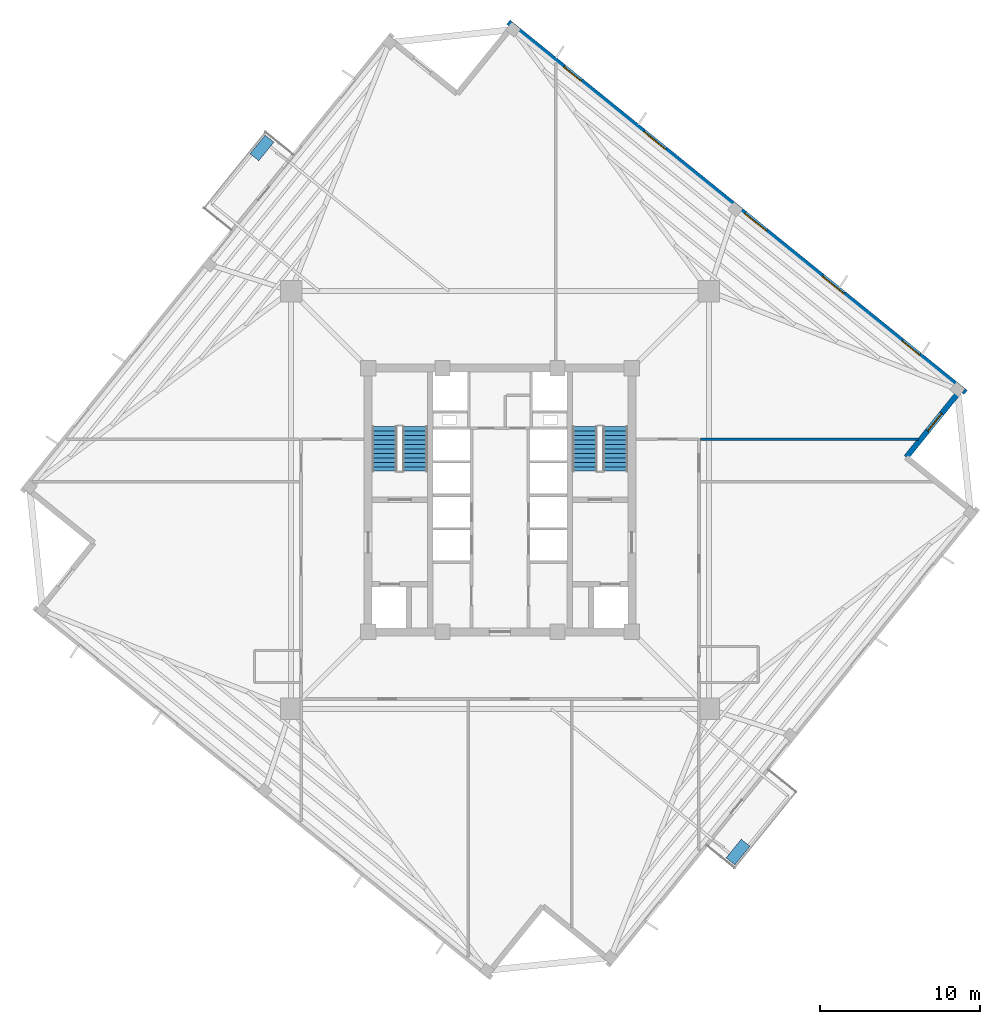
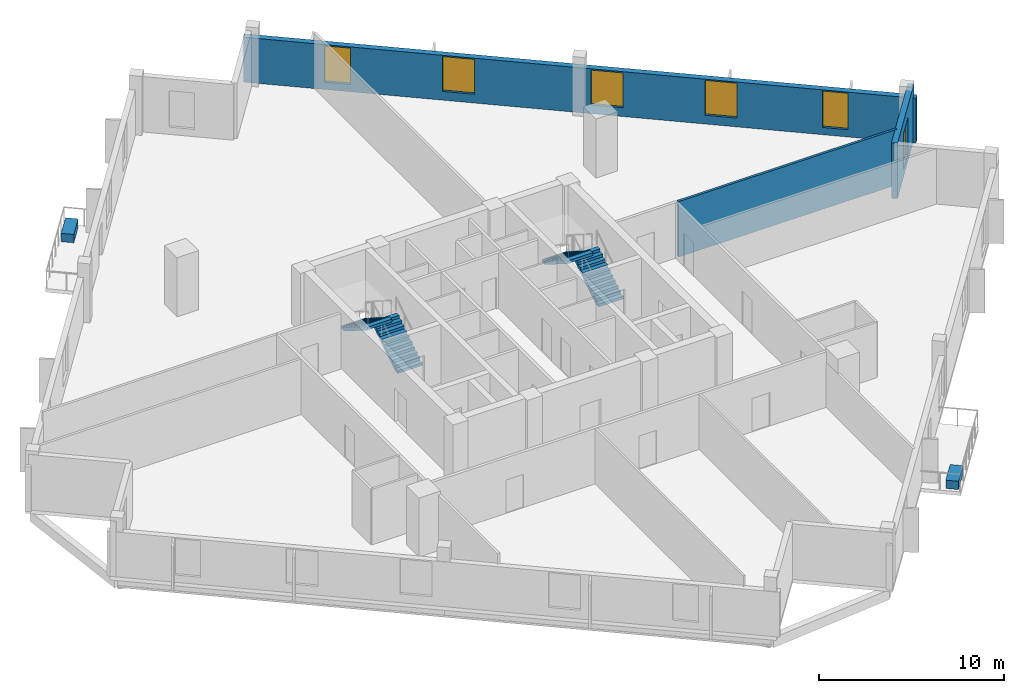
# One storey, part 5 of 9: 6 windows, 4 stair flights, 3 walls, 2 discrete accessories, 6 openings, 2 elements without a shape of their own.
"""IFC4 building model written with IfcOpenShell, lengths in metres."""

from ifc_helpers import new_model, si_unit, direction, frame, frame_2d, origin, origin_2d, place, context, subcontext, project, spatial, polyline, rectangle, outline, extrude, source, transform, mapped, material, layer, layer_set, type_object, element, fill, aggregate, save


model = new_model("IFC4")

# Units and contexts
model_context = context("Model", 3, precision=1e-05, world=origin(), true_north=direction((0.0, 1.0)))
body_context = subcontext(model_context, "Body", "Model", "MODEL_VIEW")
ifc_project = project(units=[si_unit("LENGTHUNIT", "METRE"), si_unit("AREAUNIT", "SQUARE_METRE"), si_unit("VOLUMEUNIT", "CUBIC_METRE"), si_unit("PLANEANGLEUNIT", "RADIAN"), si_unit("MASSUNIT", "GRAM", prefix="KILO"), si_unit("THERMODYNAMICTEMPERATUREUNIT", "KELVIN")], contexts=[model_context])

# Site, building, storey
site_placement = place(None, origin())
site = spatial("IfcSite", under=ifc_project, at=site_placement, CompositionType="ELEMENT")
building_placement = place(site_placement, origin())
building = spatial("IfcBuilding", under=site, at=building_placement, Name="Kosmvard Interchange Tower", CompositionType="ELEMENT")
storey_placement = place(building_placement, frame((0.0, 0.0, 225.10009765625)))
storey = spatial("IfcBuildingStorey", under=building, at=storey_placement, Name="L54", CompositionType="ELEMENT", Elevation=225.10009765625)

# Wall
ifc_material_1 = material(Name="Acoustic gypsum partition system")
ifc_layer_1 = layer(ifc_material_1, 0.14990234375, Name="Acoustic gypsum partition system")
ifc_layer_set_1 = layer_set([ifc_layer_1], Name="Acoustic gypsum partition system")
wall_type_1 = type_object("IfcWallType", Name="Acoustic Suite & Meeting Partition 150", PredefinedType="PARTITIONING", material=ifc_layer_set_1)
wall_1_placement = place(storey_placement, frame((12.544921875, 3.800048828125, 0.0), z_axis=(0.0, 0.0, 1.0), x_axis=(1.0, 0.0, 0.0)))
element("IfcWall", 1, at=wall_1_placement, inside=storey, type_object=wall_type_1, Name="L54 Room Partition 05.1", PredefinedType="PARTITIONING", context=body_context, shape_type="SweptSolid", body=[
    extrude(rectangle(XDim=13.661865234375, YDim=0.14990234375, at=frame_2d((6.8310546875, 0.0))), origin(), (0.0, 0.0, 1.0), 3.659912109375),
])

# Wall, opening, window
ifc_material_2 = material(Name="Precast concrete C45/55", Category="concrete")
ifc_layer_2 = layer(ifc_material_2, 0.340087890625, Name="Precast concrete C45/55")
ifc_layer_set_2 = layer_set([ifc_layer_2], Name="Precast concrete C45/55")
wall_type_2 = type_object("IfcWallType", Name="Mid Tower Precast Pier Wall 340 C45/55", PredefinedType="STANDARD", material=ifc_layer_set_2)
wall_2_placement = place(storey_placement, frame((25.428955078125, 2.672607421875, 0.0), z_axis=(0.0, 0.0, 1.0), x_axis=(0.629299794138, 0.777162640055, 0.0)))
wall_2 = element("IfcWall", 2, at=wall_2_placement, inside=storey, type_object=wall_type_2, Name="L54 Precast Facade Wall N-SE2", PredefinedType="STANDARD", context=body_context, shape_type="SweptSolid", body=[
    extrude(rectangle(XDim=5.669921875, YDim=0.340087890625, at=frame_2d((2.8349609375, 0.0))), origin(), (0.0, 0.0, 1.0), 3.659912109375),
])
opening_1_placement = place(wall_2_placement, frame((2.135009765625, 0.0, 0.47998046875)))
opening_1 = element("IfcOpeningElement", 3, at=opening_1_placement, cuts=wall_2, Name="Opening L54-W20", PredefinedType="OPENING", context=body_context, shape_type="SweptSolid", body=[
    extrude(rectangle(XDim=1.39990234375, YDim=2.39990234375, at=frame_2d((0.699951171875, 1.199951171875))), frame((0.0, 0.18017578125, 0.0), z_axis=(0.0, -1.0, 0.0), x_axis=(1.0, 0.0, 0.0)), (0.0, 0.0, 1.0), 0.360107421875),
])
ifc_material_3 = material(Name="Low-E solar-control double glazing", Category="glass")
window_type_1 = type_object("IfcWindowType", Name="Notched Corner Feature Window 1400x2400", PartitioningType="SINGLE_PANEL", PredefinedType="WINDOW", material=ifc_material_3)
shared_shape_1 = source(origin(), body_context, "Body", "SweptSolid", [
    extrude(rectangle(XDim=1.39990234375, YDim=2.39990234375, at=frame_2d((0.699951171875, 1.199951171875))), frame((0.0, 0.030029296875, 0.0), z_axis=(0.0, -1.0, 0.0), x_axis=(1.0, 0.0, 0.0)), (0.0, 0.0, 1.0), 0.06005859375),
])
window_1_placement = place(opening_1_placement, origin())
window_1 = element("IfcWindow", 4, at=window_1_placement, inside=storey, type_object=window_type_1, Name="L54 Corner Notch Window 20", OverallHeight=2.39990234375, OverallWidth=1.39990234375, PartitioningType="SINGLE_PANEL", PredefinedType="WINDOW", context=body_context, shape_type="MappedRepresentation", body=[
    mapped(shared_shape_1, transform((0.0, 0.0, 0.0), scale=1.0)),
])
fill(opening_1, window_1)

# Wall, openings, windows
wall_3_placement = place(storey_placement, frame((29.154296875, 6.73291015625, 0.0), z_axis=(0.0, 0.0, 1.0), x_axis=(-0.77714192302, 0.629325378072, 0.0)))
wall_3 = element("IfcWall", 5, at=wall_3_placement, inside=storey, type_object=wall_type_2, Name="L54 Precast Facade Wall F-E", PredefinedType="STANDARD", context=body_context, shape_type="SweptSolid", body=[
    extrude(rectangle(XDim=36.840087890625, YDim=0.340087890625, at=frame_2d((18.419921875, 0.0))), origin(), (0.0, 0.0, 1.0), 2.9599609375),
])
opening_2_placement = place(wall_3_placement, frame((3.720703125, 0.0, 0.47998046875)))
opening_2 = element("IfcOpeningElement", 6, at=opening_2_placement, cuts=wall_3, Name="Opening L54-W05", PredefinedType="OPENING", context=body_context, shape_type="SweptSolid", body=[
    extrude(rectangle(XDim=1.39990234375, YDim=2.39990234375, at=frame_2d((0.699951171875, 1.199951171875))), frame((0.0, 0.18017578125, 0.0), z_axis=(0.0, -1.0, 0.0), x_axis=(1.0, 0.0, 0.0)), (0.0, 0.0, 1.0), 0.360107421875),
])
opening_3_placement = place(wall_3_placement, frame((9.80859375, 0.0, 0.580078125)))
opening_3 = element("IfcOpeningElement", 7, at=opening_3_placement, cuts=wall_3, Name="Opening L54-W06", PredefinedType="OPENING", context=body_context, shape_type="SweptSolid", body=[
    extrude(rectangle(XDim=1.75, YDim=2.300048828125, at=frame_2d((0.875, 1.14990234375))), frame((0.0, 0.18017578125, 0.0), z_axis=(0.0, -1.0, 0.0), x_axis=(1.0, 0.0, 0.0)), (0.0, 0.0, 1.0), 0.360107421875),
])
opening_4_placement = place(wall_3_placement, frame((16.05810546875, 0.0, 0.580078125)))
opening_4 = element("IfcOpeningElement", 8, at=opening_4_placement, cuts=wall_3, Name="Opening L54-W07", PredefinedType="OPENING", context=body_context, shape_type="SweptSolid", body=[
    extrude(rectangle(XDim=1.75, YDim=2.300048828125, at=frame_2d((0.875, 1.14990234375))), frame((0.0, 0.18017578125, 0.0), z_axis=(0.0, -1.0, 0.0), x_axis=(1.0, 0.0, 0.0)), (0.0, 0.0, 1.0), 0.360107421875),
])
opening_5_placement = place(wall_3_placement, frame((24.17626953125, 0.0, 0.580078125)))
opening_5 = element("IfcOpeningElement", 9, at=opening_5_placement, cuts=wall_3, Name="Opening L54-W08", PredefinedType="OPENING", context=body_context, shape_type="SweptSolid", body=[
    extrude(rectangle(XDim=1.75, YDim=2.300048828125, at=frame_2d((0.875, 1.14990234375))), frame((0.0, 0.18017578125, 0.0), z_axis=(0.0, -1.0, 0.0), x_axis=(1.0, 0.0, 0.0)), (0.0, 0.0, 1.0), 0.360107421875),
])
opening_6_placement = place(wall_3_placement, frame((30.982421875, 0.0, 0.47998046875)))
opening_6 = element("IfcOpeningElement", 10, at=opening_6_placement, cuts=wall_3, Name="Opening L54-W09", PredefinedType="OPENING", context=body_context, shape_type="SweptSolid", body=[
    extrude(rectangle(XDim=1.39990234375, YDim=2.39990234375, at=frame_2d((0.699951171875, 1.199951171875))), frame((0.0, 0.18017578125, 0.0), z_axis=(0.0, -1.0, 0.0), x_axis=(1.0, 0.0, 0.0)), (0.0, 0.0, 1.0), 0.360107421875),
])
window_2_placement = place(opening_2_placement, origin())
window_2 = element("IfcWindow", 11, at=window_2_placement, inside=storey, type_object=window_type_1, Name="L54 Facade Punched Window 05", OverallHeight=2.39990234375, OverallWidth=1.39990234375, PartitioningType="SINGLE_PANEL", PredefinedType="WINDOW", context=body_context, shape_type="MappedRepresentation", body=[
    mapped(shared_shape_1, transform((0.0, 0.0, 0.0), scale=1.0)),
])
fill(opening_2, window_2)
window_3_placement = place(opening_6_placement, origin())
window_3 = element("IfcWindow", 12, at=window_3_placement, inside=storey, type_object=window_type_1, Name="L54 Facade Punched Window 09", OverallHeight=2.39990234375, OverallWidth=1.39990234375, PartitioningType="SINGLE_PANEL", PredefinedType="WINDOW", context=body_context, shape_type="MappedRepresentation", body=[
    mapped(shared_shape_1, transform((0.0, 0.0, 0.0), scale=1.0)),
])
fill(opening_6, window_3)
window_type_2 = type_object("IfcWindowType", Name="Zone 4 Suite Punched Window 1750x2300", PartitioningType="SINGLE_PANEL", PredefinedType="WINDOW", material=ifc_material_3)
shared_shape_2 = source(origin(), body_context, "Body", "SweptSolid", [
    extrude(rectangle(XDim=1.75, YDim=2.300048828125, at=frame_2d((0.875, 1.14990234375))), frame((0.0, 0.030029296875, 0.0), z_axis=(0.0, -1.0, 0.0), x_axis=(1.0, 0.0, 0.0)), (0.0, 0.0, 1.0), 0.06005859375),
])
window_4_placement = place(opening_3_placement, origin())
window_4 = element("IfcWindow", 13, at=window_4_placement, inside=storey, type_object=window_type_2, Name="L54 Facade Punched Window 06", OverallHeight=2.300048828125, OverallWidth=1.75, PartitioningType="SINGLE_PANEL", PredefinedType="WINDOW", context=body_context, shape_type="MappedRepresentation", body=[
    mapped(shared_shape_2, transform((0.0, 0.0, 0.0), scale=1.0)),
])
fill(opening_3, window_4)
window_5_placement = place(opening_4_placement, origin())
window_5 = element("IfcWindow", 14, at=window_5_placement, inside=storey, type_object=window_type_2, Name="L54 Facade Punched Window 07", OverallHeight=2.300048828125, OverallWidth=1.75, PartitioningType="SINGLE_PANEL", PredefinedType="WINDOW", context=body_context, shape_type="MappedRepresentation", body=[
    mapped(shared_shape_2, transform((0.0, 0.0, 0.0), scale=1.0)),
])
fill(opening_4, window_5)
window_6_placement = place(opening_5_placement, origin())
window_6 = element("IfcWindow", 15, at=window_6_placement, inside=storey, type_object=window_type_2, Name="L54 Facade Punched Window 08", OverallHeight=2.300048828125, OverallWidth=1.75, PartitioningType="SINGLE_PANEL", PredefinedType="WINDOW", context=body_context, shape_type="MappedRepresentation", body=[
    mapped(shared_shape_2, transform((0.0, 0.0, 0.0), scale=1.0)),
])
fill(opening_5, window_6)

# Stair, stair flights
ifc_material_4 = material(Name="Concrete C50/60", Category="concrete")
stair_type = type_object("IfcStairType", Name="Dog-Leg Core Exit Stair H3900 C50/60", PredefinedType="HALF_TURN_STAIR", material=ifc_material_4)
stair_1_placement = place(storey_placement, origin())
stair_1 = element("IfcStair", 16, at=stair_1_placement, inside=storey, type_object=stair_type, Name="L54 Protected Exit Stair ST-1", PredefinedType="HALF_TURN_STAIR")
stair_flight_type = type_object("IfcStairFlightType", Name="Core Stair Flight W1550 H3900 C50/60", PredefinedType="STRAIGHT", material=ifc_material_4)
shared_shape_3 = source(origin(), body_context, "Body", "SweptSolid", [
    extrude(outline(polyline([(0.0, 0.0), (0.0, 0.17724609375), (0.280029296875, 0.17724609375), (0.280029296875, 0.3544921875), (0.56005859375, 0.3544921875), (0.56005859375, 0.53173828125), (0.840087890625, 0.53173828125), (0.840087890625, 0.708984375), (1.1201171875, 0.708984375), (1.1201171875, 0.886474609375), (1.39990234375, 0.886474609375), (1.39990234375, 1.063720703125), (1.679931640625, 1.063720703125), (1.679931640625, 1.240966796875), (1.9599609375, 1.240966796875), (1.9599609375, 1.418212890625), (2.239990234375, 1.418212890625), (2.239990234375, 1.595458984375), (2.52001953125, 1.595458984375), (2.52001953125, 1.772705078125), (2.800048828125, 1.772705078125), (2.800048828125, 1.949951171875), (2.800048828125, 1.58349609375), (0.298828125, 0.0), (0.0, 0.0)])), frame((0.0, 0.77490234375, 0.0), z_axis=(0.0, -1.0, 0.0), x_axis=(1.0, 0.0, 0.0)), (0.0, 0.0, 1.0), 1.550048828125),
])
stair_flight_1_placement = place(storey_placement, frame((-5.31494140625, 1.800048828125, 0.0), z_axis=(0.0, 0.0, 1.0), x_axis=(0.0, 1.0, 0.0)))
stair_flight_1 = element("IfcStairFlight", 17, at=stair_flight_1_placement, type_object=stair_flight_type, Name="ST-1 flight 1", NumberOfRisers=11, NumberOfTreads=10, PredefinedType="STRAIGHT", RiserHeight=0.177272727, TreadLength=0.28, context=body_context, shape_type="MappedRepresentation", body=[
    mapped(shared_shape_3, transform((0.0, 0.0, 0.0), scale=1.0)),
])
stair_flight_2_placement = place(storey_placement, frame((-7.22509765625, 4.60009765625, 1.949951171875), z_axis=(0.0, 0.0, 1.0), x_axis=(0.0, -1.0, 0.0)))
stair_flight_2 = element("IfcStairFlight", 18, at=stair_flight_2_placement, type_object=stair_flight_type, Name="ST-1 flight 2", NumberOfRisers=11, NumberOfTreads=10, PredefinedType="STRAIGHT", RiserHeight=0.177272727, TreadLength=0.28, context=body_context, shape_type="MappedRepresentation", body=[
    mapped(shared_shape_3, transform((0.0, 0.0, 0.0), scale=1.0)),
])
aggregate(stair_1, [stair_flight_1, stair_flight_2])

stair_2_placement = place(storey_placement, origin())
stair_2 = element("IfcStair", 19, at=stair_2_placement, inside=storey, type_object=stair_type, Name="L54 Protected Exit Stair ST-2", PredefinedType="HALF_TURN_STAIR")
stair_flight_3_placement = place(storey_placement, frame((7.22509765625, 1.800048828125, 0.0), z_axis=(0.0, 0.0, 1.0), x_axis=(0.0, 1.0, 0.0)))
stair_flight_3 = element("IfcStairFlight", 20, at=stair_flight_3_placement, type_object=stair_flight_type, Name="ST-2 flight 1", NumberOfRisers=11, NumberOfTreads=10, PredefinedType="STRAIGHT", RiserHeight=0.177272727, TreadLength=0.28, context=body_context, shape_type="MappedRepresentation", body=[
    mapped(shared_shape_3, transform((0.0, 0.0, 0.0), scale=1.0)),
])
stair_flight_4_placement = place(storey_placement, frame((5.31494140625, 4.60009765625, 1.949951171875), z_axis=(0.0, 0.0, 1.0), x_axis=(0.0, -1.0, 0.0)))
stair_flight_4 = element("IfcStairFlight", 21, at=stair_flight_4_placement, type_object=stair_flight_type, Name="ST-2 flight 2", NumberOfRisers=11, NumberOfTreads=10, PredefinedType="STRAIGHT", RiserHeight=0.177272727, TreadLength=0.28, context=body_context, shape_type="MappedRepresentation", body=[
    mapped(shared_shape_3, transform((0.0, 0.0, 0.0), scale=1.0)),
])
aggregate(stair_2, [stair_flight_3, stair_flight_4])

# Discrete accessories
ifc_material_5 = material(Name="Terracotta precast planter concrete C45/55", Category="masonry")
discrete_accessory_type = type_object("IfcDiscreteAccessoryType", Name="Precast Tree-Balcony & Terrace Planter Box", PredefinedType="USERDEFINED", material=ifc_material_5)
shared_shape_4 = source(origin(), body_context, "Body", "SweptSolid", [
    extrude(rectangle(XDim=1.5, YDim=0.699951171875, at=origin_2d()), origin(), (0.0, 0.0, 1.0), 0.550048828125),
])
for number, where, z_axis, x_axis, name in (
    (22, (14.901123046875, -22.0390625, 0.0), (0.0, 0.0, 1.0), (0.62932039105, 0.777145961457, 0.0), "L54 Balcony Tree Planter BAL-L54-S"),
    (23, (-14.901123046875, 22.0390625, 0.0), (0.0, 0.0, 1.0), (0.62932039105, 0.777145961457, 0.0), "L54 Balcony Tree Planter BAL-L54-N"),
):
    element("IfcDiscreteAccessory", number, at=place(storey_placement, frame(where, z_axis=z_axis, x_axis=x_axis)), inside=storey, type_object=discrete_accessory_type, Name=name, ObjectType="PLANTER", PredefinedType="USERDEFINED", context=body_context, shape_type="MappedRepresentation", body=[
        mapped(shared_shape_4, transform((0.0, 0.0, 0.0), scale=1.0)),
    ])

save(model, "model.ifc")
